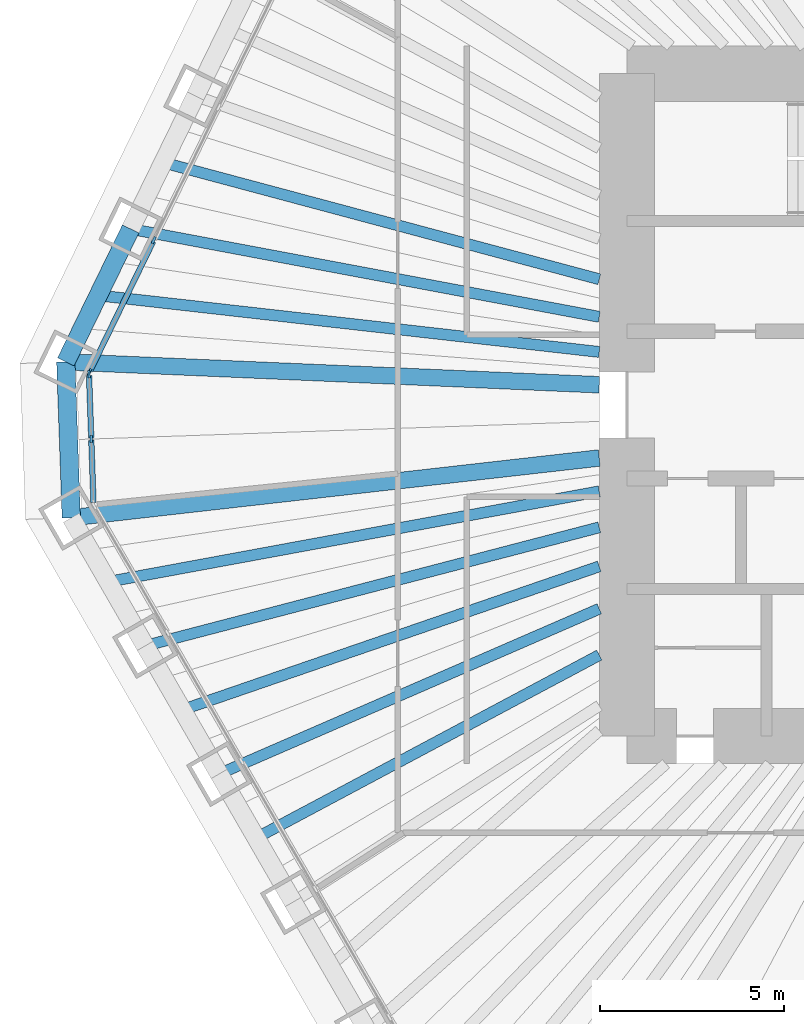
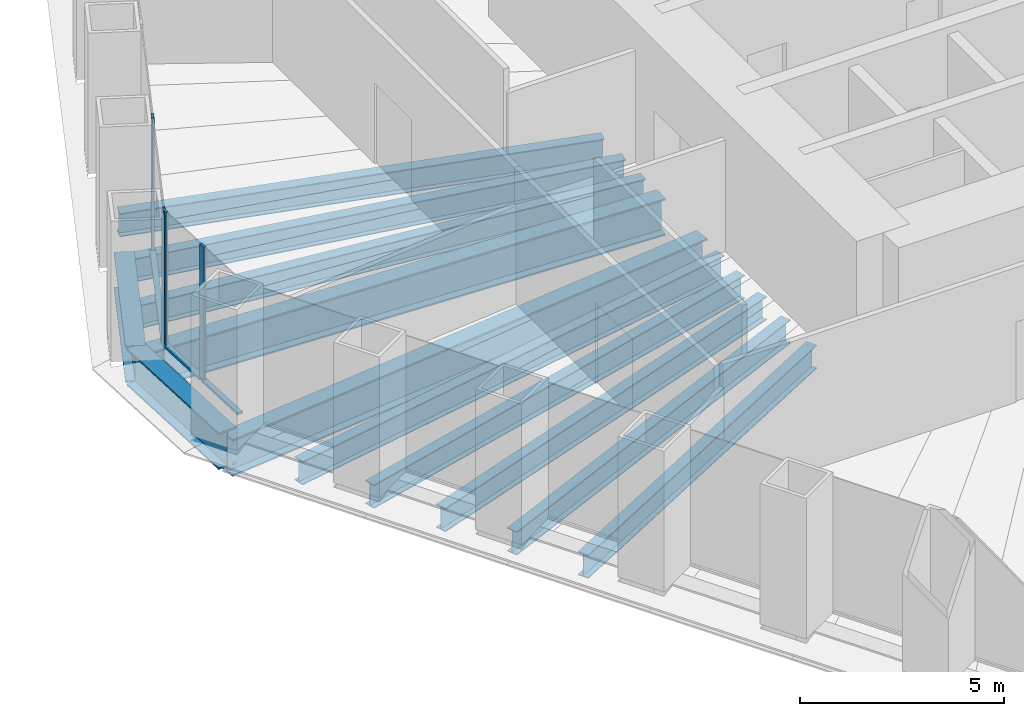
# One storey, part 3 of 13: 12 beams, 7 members, 2 elements without a shape of their own.
"""IFC4 building model written with IfcOpenShell, lengths in metres."""

from ifc_helpers import new_model, si_unit, direction, frame, origin, origin_2d, place, context, subcontext, project, spatial, rectangle, i_section, extrude, material, material_profile, profile_set, type_object, element, aggregate, save


model = new_model("IFC4")

# Units and contexts
model_context = context("Model", 3, precision=1e-05, world=origin(), true_north=direction((0.0, 1.0)))
body_context = subcontext(model_context, "Body", "Model", "MODEL_VIEW")
ifc_project = project(units=[si_unit("LENGTHUNIT", "METRE"), si_unit("AREAUNIT", "SQUARE_METRE"), si_unit("VOLUMEUNIT", "CUBIC_METRE"), si_unit("PLANEANGLEUNIT", "RADIAN"), si_unit("MASSUNIT", "GRAM", prefix="KILO")], contexts=[model_context])

# Site, building, storey
site_placement = place(None, origin())
site = spatial("IfcSite", under=ifc_project, at=site_placement, CompositionType="ELEMENT")
building_placement = place(site_placement, origin())
building = spatial("IfcBuilding", under=site, at=building_placement, Name="Qingtian Harvest Tower", CompositionType="ELEMENT")
storey_placement = place(building_placement, frame((0.0, 0.0, 140.800048828125)))
storey = spatial("IfcBuildingStorey", under=building, at=storey_placement, Name="L29", CompositionType="ELEMENT", Elevation=140.800048828125)

# Beams
ifc_material_1 = material(Name="Steel SM570MC", Category="steel")
ifc_material_profile_1 = material_profile(ifc_material_1, i_section(OverallWidth=0.449951171875, OverallDepth=1.10009765625, WebThickness=0.02197265625, FlangeThickness=0.044921875, at=origin_2d()), Name="H1100x450x22x45")
ifc_profile_set_1 = profile_set([ifc_material_profile_1], Name="Steel SM570MC")
beam_type_1 = type_object("IfcBeamType", Name="Corner floor beam FB8 H1100x450x22x45", PredefinedType="BEAM", material=ifc_profile_set_1)
beam_1_placement = place(storey_placement, frame((-27.096923828125, -3.066650390625, -0.719970703125), z_axis=(0.993656070393, 0.112461610213, 0.0), x_axis=(-0.112461610213, 0.993656070393, 0.0)))
element("IfcBeam", 1, at=beam_1_placement, inside=storey, type_object=beam_type_1, Name="Floor beam FB8 SW6", PredefinedType="BEAM", context=body_context, shape_type="SweptSolid", body=[
    extrude(i_section(OverallWidth=0.449951171875, OverallDepth=1.10009765625, WebThickness=0.02197265625, FlangeThickness=0.044921875, at=origin_2d()), origin(), (0.0, 0.0, 1.0), 14.4384765625),
])
beam_2_placement = place(storey_placement, frame((-27.244873046875, 1.1689453125, -0.719970703125), z_axis=(0.999081074678, -0.042860310542, 0.0), x_axis=(0.042860310542, 0.999081074678, 0.0)))
element("IfcBeam", 2, at=beam_2_placement, inside=storey, type_object=beam_type_1, Name="Floor beam FB8 NW0", PredefinedType="BEAM", context=body_context, shape_type="SweptSolid", body=[
    extrude(i_section(OverallWidth=0.449951171875, OverallDepth=1.10009765625, WebThickness=0.02197265625, FlangeThickness=0.044921875, at=origin_2d()), origin(), (0.0, 0.0, 1.0), 14.50830078125),
])
ifc_material_2 = material(Name="Steel SN490B", Category="steel")
ifc_material_profile_2 = material_profile(ifc_material_2, i_section(OverallWidth=0.300048828125, OverallDepth=0.699951171875, WebThickness=0.012939453125, FlangeThickness=0.02392578125, at=origin_2d()), Name="H700x300x13x24")
ifc_profile_set_2 = profile_set([ifc_material_profile_2], Name="Steel SN490B")
beam_type_2 = type_object("IfcBeamType", Name="Floor beam FB2 H700x300x13x24", PredefinedType="BEAM", material=ifc_profile_set_2)
beam_3_placement = place(storey_placement, frame((-23.077880859375, -10.02783203125, -0.52001953125), z_axis=(0.917154138631, 0.398532666154, 0.0), x_axis=(-0.398532666154, 0.917154138631, 0.0)))
element("IfcBeam", 3, at=beam_3_placement, inside=storey, type_object=beam_type_2, Name="Floor beam FB2 SW4", PredefinedType="BEAM", context=body_context, shape_type="SweptSolid", body=[
    extrude(i_section(OverallWidth=0.300048828125, OverallDepth=0.699951171875, WebThickness=0.012939453125, FlangeThickness=0.02392578125, at=origin_2d()), origin(), (0.0, 0.0, 1.0), 11.2607421875),
])
beam_4_placement = place(storey_placement, frame((-25.08740234375, -6.547119140625, -0.52001953125), z_axis=(0.967592867696, 0.252515429991, 0.0), x_axis=(-0.252515429991, 0.967592867696, 0.0)))
element("IfcBeam", 4, at=beam_4_placement, inside=storey, type_object=beam_type_2, Name="Floor beam FB2 SW5", PredefinedType="BEAM", context=body_context, shape_type="SweptSolid", body=[
    extrude(i_section(OverallWidth=0.300048828125, OverallDepth=0.699951171875, WebThickness=0.012939453125, FlangeThickness=0.02392578125, at=origin_2d()), origin(), (0.0, 0.0, 1.0), 12.750732421875),
])
beam_5_placement = place(storey_placement, frame((-25.483154296875, 4.78125, -0.52001953125), z_axis=(0.982851913913, -0.184396625015, 0.0), x_axis=(0.184396625015, 0.982851913913, 0.0)))
element("IfcBeam", 5, at=beam_5_placement, inside=storey, type_object=beam_type_2, Name="Floor beam FB2 NW1", PredefinedType="BEAM", context=body_context, shape_type="SweptSolid", body=[
    extrude(i_section(OverallWidth=0.300048828125, OverallDepth=0.699951171875, WebThickness=0.012939453125, FlangeThickness=0.02392578125, at=origin_2d()), origin(), (0.0, 0.0, 1.0), 12.955322265625),
])
ifc_material_3 = material(Name="Steel SN490B", Category="steel")
ifc_material_profile_3 = material_profile(ifc_material_3, i_section(OverallWidth=0.300048828125, OverallDepth=0.699951171875, WebThickness=0.012939453125, FlangeThickness=0.02392578125, at=origin_2d()), Name="H700x300x13x24")
ifc_profile_set_3 = profile_set([ifc_material_profile_3], Name="Steel SN490B")
beam_type_3 = type_object("IfcBeamType", Name="Floor joist J2 H700x300x13x24", PredefinedType="JOIST", material=ifc_profile_set_3)
beam_6_placement = place(storey_placement, frame((-22.0732421875, -11.76806640625, -0.52001953125), z_axis=(0.882429048443, 0.47044550637, 0.0), x_axis=(-0.47044550637, 0.882429048443, 0.0)))
element("IfcBeam", 6, at=beam_6_placement, inside=storey, type_object=beam_type_3, Name="Floor joist J2 SW3", PredefinedType="JOIST", context=body_context, shape_type="SweptSolid", body=[
    extrude(i_section(OverallWidth=0.300048828125, OverallDepth=0.699951171875, WebThickness=0.012939453125, FlangeThickness=0.02392578125, at=origin_2d()), origin(), (0.0, 0.0, 1.0), 10.5654296875),
])
beam_7_placement = place(storey_placement, frame((-24.082763671875, -8.28759765625, -0.52001953125), z_axis=(0.945577150072, 0.325397992099, 0.0), x_axis=(-0.325397992099, 0.945577150072, 0.0)))
element("IfcBeam", 7, at=beam_7_placement, inside=storey, type_object=beam_type_3, Name="Floor joist J2 SW4", PredefinedType="JOIST", context=body_context, shape_type="SweptSolid", body=[
    extrude(i_section(OverallWidth=0.300048828125, OverallDepth=0.699951171875, WebThickness=0.012939453125, FlangeThickness=0.02392578125, at=origin_2d()), origin(), (0.0, 0.0, 1.0), 11.985107421875),
])
beam_8_placement = place(storey_placement, frame((-26.09228515625, -4.806884765625, -0.52001953125), z_axis=(0.983450319804, 0.181178002192, 0.0), x_axis=(-0.181178002192, 0.983450319804, 0.0)))
element("IfcBeam", 8, at=beam_8_placement, inside=storey, type_object=beam_type_3, Name="Floor joist J2 SW5", PredefinedType="JOIST", context=body_context, shape_type="SweptSolid", body=[
    extrude(i_section(OverallWidth=0.300048828125, OverallDepth=0.699951171875, WebThickness=0.012939453125, FlangeThickness=0.02392578125, at=origin_2d()), origin(), (0.0, 0.0, 1.0), 13.56689453125),
])
beam_9_placement = place(storey_placement, frame((-26.364013671875, 2.97509765625, -0.52001953125), z_axis=(0.993692330348, -0.112140771387, 0.0), x_axis=(0.112140771387, 0.993692330348, 0.0)))
element("IfcBeam", 9, at=beam_9_placement, inside=storey, type_object=beam_type_3, Name="Floor joist J2 NW0", PredefinedType="JOIST", context=body_context, shape_type="SweptSolid", body=[
    extrude(i_section(OverallWidth=0.300048828125, OverallDepth=0.699951171875, WebThickness=0.012939453125, FlangeThickness=0.02392578125, at=origin_2d()), origin(), (0.0, 0.0, 1.0), 13.700439453125),
])
beam_10_placement = place(storey_placement, frame((-24.60205078125, 6.58740234375, -0.52001953125), z_axis=(0.965969893862, -0.258654526641, 0.0), x_axis=(0.258654526641, 0.965969893862, 0.0)))
element("IfcBeam", 10, at=beam_10_placement, inside=storey, type_object=beam_type_3, Name="Floor joist J2 NW1", PredefinedType="JOIST", context=body_context, shape_type="SweptSolid", body=[
    extrude(i_section(OverallWidth=0.300048828125, OverallDepth=0.699951171875, WebThickness=0.012939453125, FlangeThickness=0.02392578125, at=origin_2d()), origin(), (0.0, 0.0, 1.0), 12.26953125),
])

# Curtain wall, members
ifc_material_4 = material(Name="Bronze-anodised aluminium curtain wall", Category="aluminium")
curtain_wall_type = type_object("IfcCurtainWallType", Name="Curtain wall CW4 office", PredefinedType="USERDEFINED", material=ifc_material_4)
curtain_wall_1_placement = place(storey_placement, origin())
curtain_wall_1 = element("IfcCurtainWall", 11, at=curtain_wall_1_placement, inside=storey, type_object=curtain_wall_type, Name="Curtain wall CW4 L29 SWC", ObjectType="RECESSED CURTAIN WALL", PredefinedType="USERDEFINED")
ifc_material_5 = material(Name="Bronze-anodised aluminium mullion", Category="aluminium")
ifc_material_profile_4 = material_profile(ifc_material_5, rectangle(XDim=0.06494140625, YDim=0.199951171875, at=origin_2d()), Name="AL 65x200")
ifc_profile_set_4 = profile_set([ifc_material_profile_4], Name="Bronze-anodised aluminium mullion")
member_type_1 = type_object("IfcMemberType", Name="Mullion CWM 65x200", PredefinedType="MULLION", material=ifc_profile_set_4)
member_1_placement = place(storey_placement, frame((-26.55322265625, -0.92724609375, 0.0), z_axis=(0.0, 0.0, 1.0), x_axis=(-0.999390827019, -0.034899496703, 0.0)))
member_1 = element("IfcMember", 12, at=member_1_placement, type_object=member_type_1, Name="CW4 mullion 2", PredefinedType="MULLION", context=body_context, shape_type="SweptSolid", body=[
    extrude(rectangle(XDim=0.06494140625, YDim=0.199951171875, at=origin_2d()), origin(), (0.0, 0.0, 1.0), 4.030029296875),
])
member_2_placement = place(storey_placement, frame((-26.614501953125, 0.82958984375, 0.0), z_axis=(0.0, 0.0, 1.0), x_axis=(-0.999390827019, -0.034899496703, 0.0)))
member_2 = element("IfcMember", 13, at=member_2_placement, type_object=member_type_1, Name="CW4 mullion 3", PredefinedType="MULLION", context=body_context, shape_type="SweptSolid", body=[
    extrude(rectangle(XDim=0.06494140625, YDim=0.199951171875, at=origin_2d()), origin(), (0.0, 0.0, 1.0), 4.030029296875),
])

curtain_wall_2_placement = place(storey_placement, origin())
curtain_wall_2 = element("IfcCurtainWall", 14, at=curtain_wall_2_placement, inside=storey, type_object=curtain_wall_type, Name="Curtain wall CW4 L29 NW0-5", ObjectType="RECESSED CURTAIN WALL", PredefinedType="USERDEFINED")
member_3_placement = place(storey_placement, frame((-26.6015625, 0.891357421875, 0.0), z_axis=(0.0, 0.0, 1.0), x_axis=(-0.898794046299, 0.438371146789, 0.0)))
member_3 = element("IfcMember", 15, at=member_3_placement, type_object=member_type_1, Name="CW4 mullion 1", PredefinedType="MULLION", context=body_context, shape_type="SweptSolid", body=[
    extrude(rectangle(XDim=0.06494140625, YDim=0.199951171875, at=origin_2d()), origin(), (0.0, 0.0, 1.0), 4.030029296875),
])
member_4_placement = place(storey_placement, frame((-24.85400390625, 4.474365234375, 0.0), z_axis=(0.0, 0.0, 1.0), x_axis=(-0.898794046299, 0.438371146789, 0.0)))
member_4 = element("IfcMember", 16, at=member_4_placement, type_object=member_type_1, Name="CW4 mullion 2", PredefinedType="MULLION", context=body_context, shape_type="SweptSolid", body=[
    extrude(rectangle(XDim=0.06494140625, YDim=0.199951171875, at=origin_2d()), origin(), (0.0, 0.0, 1.0), 4.030029296875),
])

# Beams
ifc_material_6 = material(Name="Steel SM570MC", Category="steel")
ifc_material_profile_5 = material_profile(ifc_material_6, i_section(OverallWidth=0.5, OverallDepth=1.10009765625, WebThickness=0.02490234375, FlangeThickness=0.050048828125, at=origin_2d()), Name="H1100x500x25x50")
ifc_profile_set_5 = profile_set([ifc_material_profile_5], Name="Steel SM570MC")
beam_type_4 = type_object("IfcBeamType", Name="Spandrel beam SB2 H1100x500x25x50", PredefinedType="SPANDREL", material=ifc_profile_set_5)
beam_11_placement = place(storey_placement, frame((-27.096923828125, -3.066650390625, -0.550048828125), z_axis=(-0.034908677553, 0.999390506375, 0.0), x_axis=(-0.999390506375, -0.034908677553, 0.0)))
element("IfcBeam", 17, at=beam_11_placement, inside=storey, type_object=beam_type_4, Name="Spandrel SB2 SWC", PredefinedType="SPANDREL", context=body_context, shape_type="SweptSolid", body=[
    extrude(i_section(OverallWidth=0.5, OverallDepth=1.10009765625, WebThickness=0.02490234375, FlangeThickness=0.050048828125, at=origin_2d()), origin(), (0.0, 0.0, 1.0), 4.23828125),
])
beam_12_placement = place(storey_placement, frame((-27.244873046875, 1.1689453125, -0.550048828125), z_axis=(0.438347033158, 0.898805806902, 0.0), x_axis=(-0.898805806902, 0.438347033158, 0.0)))
element("IfcBeam", 18, at=beam_12_placement, inside=storey, type_object=beam_type_4, Name="Spandrel SB2 NW0", PredefinedType="SPANDREL", context=body_context, shape_type="SweptSolid", body=[
    extrude(i_section(OverallWidth=0.5, OverallDepth=1.10009765625, WebThickness=0.02490234375, FlangeThickness=0.050048828125, at=origin_2d()), origin(), (0.0, 0.0, 1.0), 4.01904296875),
])

# Member
ifc_material_7 = material(Name="Bronze-anodised aluminium transom", Category="aluminium")
ifc_material_profile_6 = material_profile(ifc_material_7, rectangle(XDim=0.14990234375, YDim=0.06494140625, at=origin_2d()), Name="AL 65x150")
ifc_profile_set_6 = profile_set([ifc_material_profile_6], Name="Bronze-anodised aluminium transom")
member_type_2 = type_object("IfcMemberType", Name="Transom CWT 65x150", PredefinedType="USERDEFINED", material=ifc_profile_set_6)
member_5_placement = place(storey_placement, frame((-26.4931640625, -2.651611328125, 0.032470703125), z_axis=(-0.034899362377, 0.99939083171, 0.0), x_axis=(-0.99939083171, -0.034899362377, 0.0)))
member_5 = element("IfcMember", 19, at=member_5_placement, type_object=member_type_2, Name="CW4 transom 1.1", ObjectType="TRANSOM", PredefinedType="USERDEFINED", context=body_context, shape_type="SweptSolid", body=[
    extrude(rectangle(XDim=0.14990234375, YDim=0.06494140625, at=origin_2d()), origin(), (0.0, 0.0, 1.0), 1.69287109375),
])

member_6_placement = place(storey_placement, frame((-26.554443359375, -0.894775390625, 0.032470703125), z_axis=(-0.034899362377, 0.99939083171, 0.0), x_axis=(-0.99939083171, -0.034899362377, 0.0)))
member_6 = element("IfcMember", 20, at=member_6_placement, type_object=member_type_2, Name="CW4 transom 2.1", ObjectType="TRANSOM", PredefinedType="USERDEFINED", context=body_context, shape_type="SweptSolid", body=[
    extrude(rectangle(XDim=0.14990234375, YDim=0.06494140625, at=origin_2d()), origin(), (0.0, 0.0, 1.0), 1.69287109375),
])

aggregate(curtain_wall_1, [member_1, member_2, member_5, member_6])

member_7_placement = place(storey_placement, frame((-26.587158203125, 0.92041015625, 0.032470703125), z_axis=(0.438326734225, 0.898815706396, 0.0), x_axis=(-0.898815706396, 0.438326734225, 0.0)))
member_7 = element("IfcMember", 21, at=member_7_placement, type_object=member_type_2, Name="CW4 transom 1.1", ObjectType="TRANSOM", PredefinedType="USERDEFINED", context=body_context, shape_type="SweptSolid", body=[
    extrude(rectangle(XDim=0.14990234375, YDim=0.06494140625, at=origin_2d()), origin(), (0.0, 0.0, 1.0), 3.921630859375),
])

aggregate(curtain_wall_2, [member_3, member_4, member_7])

save(model, "model.ifc")
